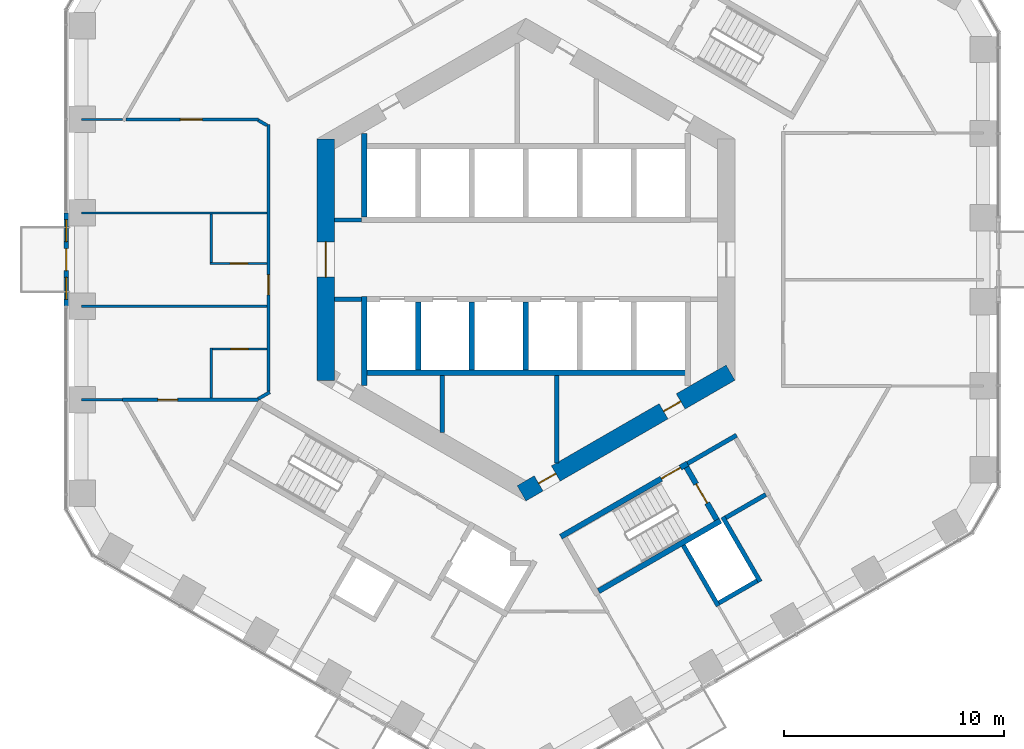
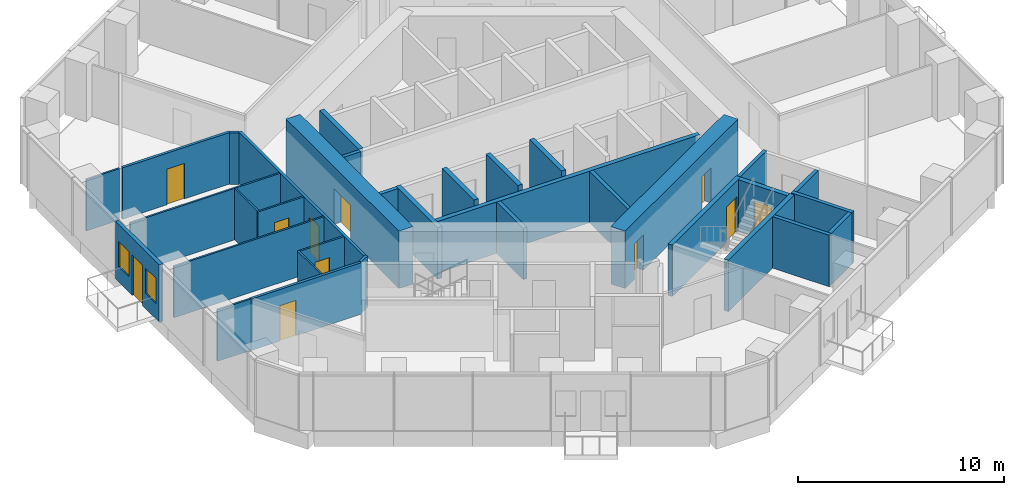
# One storey, part 14 of 20: 34 walls, 11 doors, 2 windows, 13 openings.
"""IFC4 building model written with IfcOpenShell, lengths in metres."""

from ifc_helpers import new_model, si_unit, direction, frame, frame_2d, origin, place, context, subcontext, project, spatial, rectangle, extrude, material, layer, layer_set, type_object, element, fill, save


model = new_model("IFC4")

# Units and contexts
model_context = context("Model", 3, precision=1e-05, world=origin(), true_north=direction((0.0, 1.0)))
body_context = subcontext(model_context, "Body", "Model", "MODEL_VIEW")
ifc_project = project(units=[si_unit("LENGTHUNIT", "METRE"), si_unit("AREAUNIT", "SQUARE_METRE"), si_unit("VOLUMEUNIT", "CUBIC_METRE"), si_unit("PLANEANGLEUNIT", "RADIAN"), si_unit("MASSUNIT", "GRAM", prefix="KILO")], contexts=[model_context])

# Site, building, storey
site_placement = place(None, origin())
site = spatial("IfcSite", under=ifc_project, at=site_placement, CompositionType="ELEMENT")
building_placement = place(site_placement, origin())
building = spatial("IfcBuilding", under=site, at=building_placement, Name="Ayvan Gate Tower", CompositionType="ELEMENT")
storey_placement = place(building_placement, frame((0.0, 0.0, 59.5)))
storey = spatial("IfcBuildingStorey", under=building, at=storey_placement, Name="L15", CompositionType="ELEMENT", Elevation=59.5)

# Wall, openings, door, windows
ifc_material_1 = material(Name="Insulated metal panel wall")
ifc_layer_1 = layer(ifc_material_1, 0.199951171875)
ifc_layer_set_1 = layer_set([ifc_layer_1], Name="Insulated metal panel wall")
wall_type_1 = type_object("IfcWallType", Name="Balcony door wall 200", PredefinedType="SOLIDWALL", material=ifc_layer_set_1)
wall_1_placement = place(storey_placement, frame((-20.89111328125, 2.125732421875, 0.0), z_axis=(0.0, 0.0, 1.0), x_axis=(0.0, -1.0, 0.0)))
wall_1 = element("IfcWall", 1, at=wall_1_placement, inside=storey, type_object=wall_type_1, Name="EW:L15:3:2", PredefinedType="SOLIDWALL", context=body_context, shape_type="SweptSolid", body=[
    extrude(rectangle(XDim=4.2509765625, YDim=0.199951171875, at=frame_2d((2.12548828125, 0.0))), origin(), (0.0, 0.0, 1.0), 3.39990234375),
])
opening_1_placement = place(wall_1_placement, frame((1.62548828125, 0.0, 0.0)))
opening_1 = element("IfcOpeningElement", 2, at=opening_1_placement, cuts=wall_1, Name="Opening L15-D93", PredefinedType="OPENING", context=body_context, shape_type="SweptSolid", body=[
    extrude(rectangle(XDim=1.0, YDim=2.39990234375, at=frame_2d((0.5, 1.199951171875))), frame((0.0, 0.10986328125, 0.0), z_axis=(0.0, -1.0, 0.0), x_axis=(1.0, 0.0, 0.0)), (0.0, 0.0, 1.0), 0.219970703125),
])
opening_2_placement = place(wall_1_placement, frame((0.312744140625, 0.0, 0.89990234375)))
opening_2 = element("IfcOpeningElement", 3, at=opening_2_placement, cuts=wall_1, Name="Opening W-B1", PredefinedType="OPENING", context=body_context, shape_type="SweptSolid", body=[
    extrude(rectangle(XDim=1.0, YDim=1.5, at=frame_2d((0.5, 0.75))), frame((0.0, 0.10986328125, 0.0), z_axis=(0.0, -1.0, 0.0), x_axis=(1.0, 0.0, 0.0)), (0.0, 0.0, 1.0), 0.219970703125),
])
opening_3_placement = place(wall_1_placement, frame((2.938232421875, 0.0, 0.89990234375)))
opening_3 = element("IfcOpeningElement", 4, at=opening_3_placement, cuts=wall_1, Name="Opening W-B1", PredefinedType="OPENING", context=body_context, shape_type="SweptSolid", body=[
    extrude(rectangle(XDim=1.0, YDim=1.5, at=frame_2d((0.5, 0.75))), frame((0.0, 0.10986328125, 0.0), z_axis=(0.0, -1.0, 0.0), x_axis=(1.0, 0.0, 0.0)), (0.0, 0.0, 1.0), 0.219970703125),
])
ifc_material_2 = material(Name="Bronze anodised aluminium and clear glass", Category="aluminium")
door_type_1 = type_object("IfcDoorType", Name="Balcony door D-B", OperationType="SINGLE_SWING_RIGHT", PredefinedType="DOOR", material=ifc_material_2)
door_1_placement = place(opening_1_placement, origin())
door_1 = element("IfcDoor", 5, at=door_1_placement, inside=storey, type_object=door_type_1, Name="Balcony door BAL-L15-3", OperationType="SINGLE_SWING_RIGHT", OverallHeight=2.39990234375, OverallWidth=1.0, PredefinedType="DOOR", context=body_context, shape_type="SweptSolid", body=[
    extrude(rectangle(XDim=1.0, YDim=2.39990234375, at=frame_2d((0.5, 1.199951171875))), frame((0.0, 0.02490234375, 0.0), z_axis=(0.0, -1.0, 0.0), x_axis=(1.0, 0.0, 0.0)), (0.0, 0.0, 1.0), 0.050048828125),
])
fill(opening_1, door_1)
window_type = type_object("IfcWindowType", Name="Balcony side light W-B Z1", PartitioningType="SINGLE_PANEL", PredefinedType="WINDOW", material=ifc_material_2)
window_1_placement = place(opening_2_placement, origin())
window_1 = element("IfcWindow", 6, at=window_1_placement, inside=storey, type_object=window_type, Name="Balcony side light BAL-L15-3.1", OverallHeight=1.5, OverallWidth=1.0, PartitioningType="SINGLE_PANEL", PredefinedType="WINDOW", context=body_context, shape_type="SweptSolid", body=[
    extrude(rectangle(XDim=1.0, YDim=1.5, at=frame_2d((0.5, 0.75))), frame((0.0, 0.030029296875, 0.0), z_axis=(0.0, -1.0, 0.0), x_axis=(1.0, 0.0, 0.0)), (0.0, 0.0, 1.0), 0.06005859375),
])
fill(opening_2, window_1)
window_2_placement = place(opening_3_placement, origin())
window_2 = element("IfcWindow", 7, at=window_2_placement, inside=storey, type_object=window_type, Name="Balcony side light BAL-L15-3.2", OverallHeight=1.5, OverallWidth=1.0, PartitioningType="SINGLE_PANEL", PredefinedType="WINDOW", context=body_context, shape_type="SweptSolid", body=[
    extrude(rectangle(XDim=1.0, YDim=1.5, at=frame_2d((0.5, 0.75))), frame((0.0, 0.030029296875, 0.0), z_axis=(0.0, -1.0, 0.0), x_axis=(1.0, 0.0, 0.0)), (0.0, 0.0, 1.0), 0.06005859375),
])
fill(opening_3, window_2)

# Wall, opening, door
ifc_material_3 = material(Name="Concrete C70/85", Category="concrete")
ifc_layer_2 = layer(ifc_material_3, 0.800048828125)
ifc_layer_set_2 = layer_set([ifc_layer_2], Name="Concrete C70/85")
wall_type_2 = type_object("IfcWallType", Name="Core wall 800 C70/85", PredefinedType="SHEAR", material=ifc_layer_set_2)
wall_2_placement = place(storey_placement, frame((-9.10009765625, 5.48486328125, 0.0), z_axis=(0.0, 0.0, 1.0), x_axis=(0.0, -1.0, 0.0)))
wall_2 = element("IfcWall", 8, at=wall_2_placement, inside=storey, type_object=wall_type_2, Name="CORE-L15-3", PredefinedType="SHEAR", context=body_context, shape_type="SweptSolid", body=[
    extrude(rectangle(XDim=10.9697265625, YDim=0.800048828125, at=frame_2d((5.48486328125, 0.0))), origin(), (0.0, 0.0, 1.0), 3.39990234375),
])
opening_4_placement = place(wall_2_placement, frame((4.684814453125, 0.0, 0.0)))
opening_4 = element("IfcOpeningElement", 9, at=opening_4_placement, cuts=wall_2, Name="Opening L15-D103", PredefinedType="OPENING", context=body_context, shape_type="SweptSolid", body=[
    extrude(rectangle(XDim=1.60009765625, YDim=2.10009765625, at=frame_2d((0.800048828125, 1.050048828125))), frame((0.0, 0.409912109375, 0.0), z_axis=(0.0, -1.0, 0.0), x_axis=(1.0, 0.0, 0.0)), (0.0, 0.0, 1.0), 0.820068359375),
])
ifc_material_4 = material(Name="Timber door leaf", Category="wood")
door_type_2 = type_object("IfcDoorType", Name="DT-1600", OperationType="NOTDEFINED", PredefinedType="DOOR", material=ifc_material_4)
door_2_placement = place(opening_4_placement, origin())
door_2 = element("IfcDoor", 10, at=door_2_placement, inside=storey, type_object=door_type_2, Name="CD-L15-103", OperationType="SINGLE_SWING_RIGHT", OverallHeight=2.10009765625, OverallWidth=1.60009765625, PredefinedType="DOOR", context=body_context, shape_type="SweptSolid", body=[
    extrude(rectangle(XDim=1.60009765625, YDim=2.10009765625, at=frame_2d((0.800048828125, 1.050048828125))), frame((0.0, 0.02490234375, 0.0), z_axis=(0.0, -1.0, 0.0), x_axis=(1.0, 0.0, 0.0)), (0.0, 0.0, 1.0), 0.050048828125),
])
fill(opening_4, door_2)

# Wall, openings, doors
wall_3_placement = place(storey_placement, frame((-0.199951171875, -10.623291015625, 0.0), z_axis=(0.0, 0.0, 1.0), x_axis=(0.866023993627, 0.500002442456, 0.0)))
wall_3 = element("IfcWall", 11, at=wall_3_placement, inside=storey, type_object=wall_type_2, Name="CORE-L15-5", PredefinedType="SHEAR", context=body_context, shape_type="SweptSolid", body=[
    extrude(rectangle(XDim=10.9697265625, YDim=0.800048828125, at=frame_2d((5.48486328125, 0.0))), origin(), (0.0, 0.0, 1.0), 3.39990234375),
])
opening_5_placement = place(wall_3_placement, frame((0.89990234375, 0.0, 0.0)))
opening_5 = element("IfcOpeningElement", 12, at=opening_5_placement, cuts=wall_3, Name="Opening L15-D100", PredefinedType="OPENING", context=body_context, shape_type="SweptSolid", body=[
    extrude(rectangle(XDim=0.89990234375, YDim=2.10009765625, at=frame_2d((0.449951171875, 1.050048828125))), frame((0.0, 0.409912109375, 0.0), z_axis=(0.0, -1.0, 0.0), x_axis=(1.0, 0.0, 0.0)), (0.0, 0.0, 1.0), 0.820068359375),
])
opening_6_placement = place(wall_3_placement, frame((7.45458984375, 0.0, 0.0)))
opening_6 = element("IfcOpeningElement", 13, at=opening_6_placement, cuts=wall_3, Name="Opening L15-D101", PredefinedType="OPENING", context=body_context, shape_type="SweptSolid", body=[
    extrude(rectangle(XDim=0.89990234375, YDim=2.10009765625, at=frame_2d((0.449951171875, 1.050048828125))), frame((0.0, 0.409912109375, 0.0), z_axis=(0.0, -1.0, 0.0), x_axis=(1.0, 0.0, 0.0)), (0.0, 0.0, 1.0), 0.820068359375),
])
door_type_3 = type_object("IfcDoorType", Name="DT-900", OperationType="NOTDEFINED", PredefinedType="DOOR", material=ifc_material_4)
door_3_placement = place(opening_5_placement, origin())
door_3 = element("IfcDoor", 14, at=door_3_placement, inside=storey, type_object=door_type_3, Name="CD-L15-100", OperationType="SINGLE_SWING_LEFT", OverallHeight=2.10009765625, OverallWidth=0.89990234375, PredefinedType="DOOR", context=body_context, shape_type="SweptSolid", body=[
    extrude(rectangle(XDim=0.89990234375, YDim=2.10009765625, at=frame_2d((0.449951171875, 1.050048828125))), frame((0.0, 0.02490234375, 0.0), z_axis=(0.0, -1.0, 0.0), x_axis=(1.0, 0.0, 0.0)), (0.0, 0.0, 1.0), 0.050048828125),
])
fill(opening_5, door_3)
door_4_placement = place(opening_6_placement, origin())
door_4 = element("IfcDoor", 15, at=door_4_placement, inside=storey, type_object=door_type_3, Name="CD-L15-101", OperationType="SINGLE_SWING_RIGHT", OverallHeight=2.10009765625, OverallWidth=0.89990234375, PredefinedType="DOOR", context=body_context, shape_type="SweptSolid", body=[
    extrude(rectangle(XDim=0.89990234375, YDim=2.10009765625, at=frame_2d((0.449951171875, 1.050048828125))), frame((0.0, 0.02490234375, 0.0), z_axis=(0.0, -1.0, 0.0), x_axis=(1.0, 0.0, 0.0)), (0.0, 0.0, 1.0), 0.050048828125),
])
fill(opening_6, door_4)

# Wall, opening, door
ifc_material_5 = material(Name="Plasterboard on steel stud", Category="steel")
ifc_layer_3 = layer(ifc_material_5, 0.14990234375)
ifc_layer_set_3 = layer_set([ifc_layer_3], Name="Plasterboard on steel stud")
wall_type_3 = type_object("IfcWallType", Name="WT-CORR-150", PredefinedType="PARTITIONING", material=ifc_layer_set_3)
wall_4_placement = place(storey_placement, frame((-18.330810546875, -6.366455078125, 0.0), z_axis=(0.0, 0.0, 1.0), x_axis=(1.0, 0.0, 0.0)))
wall_4 = element("IfcWall", 16, at=wall_4_placement, inside=storey, type_object=wall_type_3, Name="IW-L15-001", PredefinedType="PARTITIONING", context=body_context, shape_type="SweptSolid", body=[
    extrude(rectangle(XDim=6.178955078125, YDim=0.14990234375, at=frame_2d((3.08935546875, 0.0))), origin(), (0.0, 0.0, 1.0), 3.050048828125),
])
opening_7_placement = place(wall_4_placement, frame((1.605224609375, 0.0, 0.0)))
opening_7 = element("IfcOpeningElement", 17, at=opening_7_placement, cuts=wall_4, Name="Opening L15-D27", PredefinedType="OPENING", context=body_context, shape_type="SweptSolid", body=[
    extrude(rectangle(XDim=0.89990234375, YDim=2.10009765625, at=frame_2d((0.449951171875, 1.050048828125))), frame((0.0, 0.0849609375, 0.0), z_axis=(0.0, -1.0, 0.0), x_axis=(1.0, 0.0, 0.0)), (0.0, 0.0, 1.0), 0.169921875),
])
door_5_placement = place(opening_7_placement, origin())
door_5 = element("IfcDoor", 18, at=door_5_placement, inside=storey, type_object=door_type_3, Name="ID-L15-027", OperationType="SINGLE_SWING_RIGHT", OverallHeight=2.10009765625, OverallWidth=0.89990234375, PredefinedType="DOOR", context=body_context, shape_type="SweptSolid", body=[
    extrude(rectangle(XDim=0.89990234375, YDim=2.10009765625, at=frame_2d((0.449951171875, 1.050048828125))), frame((0.0, 0.02490234375, 0.0), z_axis=(0.0, -1.0, 0.0), x_axis=(1.0, 0.0, 0.0)), (0.0, 0.0, 1.0), 0.050048828125),
])
fill(opening_7, door_5)

wall_5_placement = place(storey_placement, frame((-12.15185546875, 6.366455078125, 0.0), z_axis=(0.0, 0.0, 1.0), x_axis=(-1.0, 0.0, 0.0)))
wall_5 = element("IfcWall", 19, at=wall_5_placement, inside=storey, type_object=wall_type_3, Name="IW-L15-013", PredefinedType="PARTITIONING", context=body_context, shape_type="SweptSolid", body=[
    extrude(rectangle(XDim=6.029052734375, YDim=0.14990234375, at=frame_2d((3.0146484375, 0.0))), origin(), (0.0, 0.0, 1.0), 3.050048828125),
])
opening_8_placement = place(wall_5_placement, frame((2.552001953125, 0.0, 0.0)))
opening_8 = element("IfcOpeningElement", 20, at=opening_8_placement, cuts=wall_5, Name="Opening L15-D24", PredefinedType="OPENING", context=body_context, shape_type="SweptSolid", body=[
    extrude(rectangle(XDim=1.0, YDim=2.10009765625, at=frame_2d((0.5, 1.050048828125))), frame((0.0, 0.0849609375, 0.0), z_axis=(0.0, -1.0, 0.0), x_axis=(1.0, 0.0, 0.0)), (0.0, 0.0, 1.0), 0.169921875),
])
door_type_4 = type_object("IfcDoorType", Name="DT-1000", OperationType="NOTDEFINED", PredefinedType="DOOR", material=ifc_material_4)
door_6_placement = place(opening_8_placement, origin())
door_6 = element("IfcDoor", 21, at=door_6_placement, inside=storey, type_object=door_type_4, Name="ID-L15-024", OperationType="SINGLE_SWING_LEFT", OverallHeight=2.10009765625, OverallWidth=1.0, PredefinedType="DOOR", context=body_context, shape_type="SweptSolid", body=[
    extrude(rectangle(XDim=1.0, YDim=2.10009765625, at=frame_2d((0.5, 1.050048828125))), frame((0.0, 0.02490234375, 0.0), z_axis=(0.0, -1.0, 0.0), x_axis=(1.0, 0.0, 0.0)), (0.0, 0.0, 1.0), 0.050048828125),
])
fill(opening_8, door_6)

# Wall
wall_6_placement = place(storey_placement, frame((-12.161865234375, -6.328857421875, 0.0), z_axis=(0.0, 0.0, 1.0), x_axis=(0.866011828767, 0.500023511883, 0.0)))
element("IfcWall", 22, at=wall_6_placement, inside=storey, type_object=wall_type_3, Name="IW-L15-014", PredefinedType="PARTITIONING", context=body_context, shape_type="SweptSolid", body=[
    extrude(rectangle(XDim=0.6083984375, YDim=0.14990234375, at=frame_2d((0.30419921875, 0.0))), origin(), (0.0, 0.0, 1.0), 3.050048828125),
])

# Wall, opening, door
wall_7_placement = place(storey_placement, frame((-11.699951171875, 6.13720703125, 0.0), z_axis=(0.0, 0.0, 1.0), x_axis=(0.0, -1.0, 0.0)))
wall_7 = element("IfcWall", 23, at=wall_7_placement, inside=storey, type_object=wall_type_3, Name="IW-L15-018", PredefinedType="PARTITIONING", context=body_context, shape_type="SweptSolid", body=[
    extrude(rectangle(XDim=12.12451171875, YDim=0.14990234375, at=frame_2d((6.062255859375, 0.0))), origin(), (0.0, 0.0, 1.0), 3.050048828125),
])
opening_9_placement = place(wall_7_placement, frame((6.837158203125, 0.0, 0.0)))
opening_9 = element("IfcOpeningElement", 24, at=opening_9_placement, cuts=wall_7, Name="Opening L15-D25", PredefinedType="OPENING", context=body_context, shape_type="SweptSolid", body=[
    extrude(rectangle(XDim=0.89990234375, YDim=2.10009765625, at=frame_2d((0.449951171875, 1.050048828125))), frame((0.0, 0.0849609375, 0.0), z_axis=(0.0, -1.0, 0.0), x_axis=(1.0, 0.0, 0.0)), (0.0, 0.0, 1.0), 0.169921875),
])
door_7_placement = place(opening_9_placement, origin())
door_7 = element("IfcDoor", 25, at=door_7_placement, inside=storey, type_object=door_type_3, Name="ID-L15-025", OperationType="SINGLE_SWING_RIGHT", OverallHeight=2.10009765625, OverallWidth=0.89990234375, PredefinedType="DOOR", context=body_context, shape_type="SweptSolid", body=[
    extrude(rectangle(XDim=0.89990234375, YDim=2.10009765625, at=frame_2d((0.449951171875, 1.050048828125))), frame((0.0, 0.02490234375, 0.0), z_axis=(0.0, -1.0, 0.0), x_axis=(1.0, 0.0, 0.0)), (0.0, 0.0, 1.0), 0.050048828125),
])
fill(opening_9, door_7)

# Walls
wall_8_placement = place(storey_placement, frame((-11.764892578125, 6.099609375, 0.0), z_axis=(0.0, 0.0, 1.0), x_axis=(-0.865972712538, 0.500091252813, 0.0)))
element("IfcWall", 26, at=wall_8_placement, inside=storey, type_object=wall_type_3, Name="IW-L15-019", PredefinedType="PARTITIONING", context=body_context, shape_type="SweptSolid", body=[
    extrude(rectangle(XDim=0.45849609375, YDim=0.14990234375, at=frame_2d((0.229248046875, 0.0))), origin(), (0.0, 0.0, 1.0), 3.050048828125),
])
ifc_layer_4 = layer(ifc_material_5, 0.10009765625)
ifc_layer_set_4 = layer_set([ifc_layer_4], Name="Plasterboard on steel stud")
wall_type_4 = type_object("IfcWallType", Name="WT-PART-100", PredefinedType="PARTITIONING", material=ifc_layer_set_4)
for number, where, z_axis, x_axis, name in (
    (27, (-18.330810546875, -6.366455078125, 0.0), (0.0, 0.0, 1.0), (-1.0, 0.0, 0.0), "IW-L15-000"),
    (28, (-18.330810546875, 6.366455078125, 0.0), (0.0, 0.0, 1.0), (-1.0, 0.0, 0.0), "IW-L15-002"),
):
    element("IfcWall", number, at=place(storey_placement, frame(where, z_axis=z_axis, x_axis=x_axis)), inside=storey, type_object=wall_type_4, Name=name, PredefinedType="PARTITIONING", context=body_context, shape_type="SweptSolid", body=[
        extrude(rectangle(XDim=1.8603515625, YDim=0.10009765625, at=frame_2d((0.93017578125, 0.0))), origin(), (0.0, 0.0, 1.0), 3.050048828125),
    ])
wall_9_placement = place(storey_placement, frame((-14.300048828125, -4.016357421875, 0.0), z_axis=(0.0, 0.0, 1.0), x_axis=(0.0, -1.0, 0.0)))
element("IfcWall", 29, at=wall_9_placement, inside=storey, type_object=wall_type_4, Name="IW-L15-006", PredefinedType="PARTITIONING", context=body_context, shape_type="SweptSolid", body=[
    extrude(rectangle(XDim=2.275146484375, YDim=0.10009765625, at=frame_2d((1.1376953125, 0.0))), origin(), (0.0, 0.0, 1.0), 3.050048828125),
])

# Wall, opening, door
wall_10_placement = place(storey_placement, frame((-14.35009765625, -0.177978515625, 0.0), z_axis=(0.0, 0.0, 1.0), x_axis=(1.0, 0.0, 0.0)))
wall_10 = element("IfcWall", 30, at=wall_10_placement, inside=storey, type_object=wall_type_4, Name="IW-L15-007", PredefinedType="PARTITIONING", context=body_context, shape_type="SweptSolid", body=[
    extrude(rectangle(XDim=2.5751953125, YDim=0.10009765625, at=frame_2d((1.28759765625, 0.0))), origin(), (0.0, 0.0, 1.0), 3.050048828125),
])
opening_10_placement = place(wall_10_placement, frame((0.91259765625, 0.0, 0.0)))
opening_10 = element("IfcOpeningElement", 31, at=opening_10_placement, cuts=wall_10, Name="Opening L15-D26", PredefinedType="OPENING", context=body_context, shape_type="SweptSolid", body=[
    extrude(rectangle(XDim=0.800048828125, YDim=2.10009765625, at=frame_2d((0.39990234375, 1.050048828125))), frame((0.0, 0.06005859375, 0.0), z_axis=(0.0, -1.0, 0.0), x_axis=(1.0, 0.0, 0.0)), (0.0, 0.0, 1.0), 0.1201171875),
])
door_type_5 = type_object("IfcDoorType", Name="DT-800", OperationType="NOTDEFINED", PredefinedType="DOOR", material=ifc_material_4)
door_8_placement = place(opening_10_placement, origin())
door_8 = element("IfcDoor", 32, at=door_8_placement, inside=storey, type_object=door_type_5, Name="ID-L15-026", OperationType="SINGLE_SWING_LEFT", OverallHeight=2.10009765625, OverallWidth=0.800048828125, PredefinedType="DOOR", context=body_context, shape_type="SweptSolid", body=[
    extrude(rectangle(XDim=0.800048828125, YDim=2.10009765625, at=frame_2d((0.39990234375, 1.050048828125))), frame((0.0, 0.02490234375, 0.0), z_axis=(0.0, -1.0, 0.0), x_axis=(1.0, 0.0, 0.0)), (0.0, 0.0, 1.0), 0.050048828125),
])
fill(opening_10, door_8)

# Walls
wall_11_placement = place(storey_placement, frame((-14.300048828125, 2.072021484375, 0.0), z_axis=(0.0, 0.0, 1.0), x_axis=(0.0, -1.0, 0.0)))
element("IfcWall", 33, at=wall_11_placement, inside=storey, type_object=wall_type_4, Name="IW-L15-008", PredefinedType="PARTITIONING", context=body_context, shape_type="SweptSolid", body=[
    extrude(rectangle(XDim=2.199951171875, YDim=0.10009765625, at=frame_2d((1.10009765625, 0.0))), origin(), (0.0, 0.0, 1.0), 3.050048828125),
])
wall_12_placement = place(storey_placement, frame((-20.191162109375, 2.1220703125, 0.0), z_axis=(0.0, 0.0, 1.0), x_axis=(1.0, 0.0, 0.0)))
element("IfcWall", 34, at=wall_12_placement, inside=storey, type_object=wall_type_4, Name="IW-L15-009", PredefinedType="PARTITIONING", context=body_context, shape_type="SweptSolid", body=[
    extrude(rectangle(XDim=8.416259765625, YDim=0.10009765625, at=frame_2d((4.2080078125, 0.0))), origin(), (0.0, 0.0, 1.0), 3.050048828125),
])

# Wall, opening, door
wall_13_placement = place(storey_placement, frame((-11.77490234375, -4.06640625, 0.0), z_axis=(0.0, 0.0, 1.0), x_axis=(-1.0, 0.0, 0.0)))
wall_13 = element("IfcWall", 35, at=wall_13_placement, inside=storey, type_object=wall_type_4, Name="IW-L15-016", PredefinedType="PARTITIONING", context=body_context, shape_type="SweptSolid", body=[
    extrude(rectangle(XDim=2.47509765625, YDim=0.10009765625, at=frame_2d((1.237548828125, 0.0))), origin(), (0.0, 0.0, 1.0), 3.050048828125),
])
opening_11_placement = place(wall_13_placement, frame((0.83740234375, 0.0, 0.0)))
opening_11 = element("IfcOpeningElement", 36, at=opening_11_placement, cuts=wall_13, Name="Opening L15-D28", PredefinedType="OPENING", context=body_context, shape_type="SweptSolid", body=[
    extrude(rectangle(XDim=0.800048828125, YDim=2.10009765625, at=frame_2d((0.39990234375, 1.050048828125))), frame((0.0, 0.06005859375, 0.0), z_axis=(0.0, -1.0, 0.0), x_axis=(1.0, 0.0, 0.0)), (0.0, 0.0, 1.0), 0.1201171875),
])
door_9_placement = place(opening_11_placement, origin())
door_9 = element("IfcDoor", 37, at=door_9_placement, inside=storey, type_object=door_type_5, Name="ID-L15-028", OperationType="SINGLE_SWING_LEFT", OverallHeight=2.10009765625, OverallWidth=0.800048828125, PredefinedType="DOOR", context=body_context, shape_type="SweptSolid", body=[
    extrude(rectangle(XDim=0.800048828125, YDim=2.10009765625, at=frame_2d((0.39990234375, 1.050048828125))), frame((0.0, 0.02490234375, 0.0), z_axis=(0.0, -1.0, 0.0), x_axis=(1.0, 0.0, 0.0)), (0.0, 0.0, 1.0), 0.050048828125),
])
fill(opening_11, door_9)

# Walls
wall_14_placement = place(storey_placement, frame((-11.77490234375, -2.1220703125, 0.0), z_axis=(0.0, 0.0, 1.0), x_axis=(-1.0, 0.0, 0.0)))
element("IfcWall", 38, at=wall_14_placement, inside=storey, type_object=wall_type_4, Name="IW-L15-017", PredefinedType="PARTITIONING", context=body_context, shape_type="SweptSolid", body=[
    extrude(rectangle(XDim=8.416259765625, YDim=0.10009765625, at=frame_2d((4.2080078125, 0.0))), origin(), (0.0, 0.0, 1.0), 3.050048828125),
])
ifc_layer_5 = layer(ifc_material_5, 0.199951171875)
ifc_layer_set_5 = layer_set([ifc_layer_5], Name="Plasterboard on steel stud")
wall_type_5 = type_object("IfcWallType", Name="WT-PLUMB-200", PredefinedType="PLUMBINGWALL", material=ifc_layer_set_5)
wall_15_placement = place(storey_placement, frame((8.740234375, -15.738525390625, 0.0), z_axis=(0.0, 0.0, 1.0), x_axis=(-0.500017526161, 0.866015284814, 0.0)))
element("IfcWall", 39, at=wall_15_placement, inside=storey, type_object=wall_type_5, Name="IW-L15-097", PredefinedType="PLUMBINGWALL", context=body_context, shape_type="SweptSolid", body=[
    extrude(rectangle(XDim=3.17529296875, YDim=0.199951171875, at=frame_2d((1.587646484375, 0.0))), origin(), (0.0, 0.0, 1.0), 3.050048828125),
])
wall_16_placement = place(storey_placement, frame((8.9453125, -11.694091796875, 0.0), z_axis=(0.0, 0.0, 1.0), x_axis=(0.500062241894, -0.865989465428, 0.0)))
element("IfcWall", 40, at=wall_16_placement, inside=storey, type_object=wall_type_5, Name="IW-L15-099", PredefinedType="PLUMBINGWALL", context=body_context, shape_type="SweptSolid", body=[
    extrude(rectangle(XDim=3.39990234375, YDim=0.199951171875, at=frame_2d((1.699951171875, 0.0))), origin(), (0.0, 0.0, 1.0), 3.050048828125),
])
wall_17_placement = place(storey_placement, frame((10.5087890625, -14.601806640625, 0.0), z_axis=(0.0, 0.0, 1.0), x_axis=(-0.866010750942, -0.50002537861, 0.0)))
element("IfcWall", 41, at=wall_17_placement, inside=storey, type_object=wall_type_5, Name="IW-L15-102", PredefinedType="PLUMBINGWALL", context=body_context, shape_type="SweptSolid", body=[
    extrude(rectangle(XDim=2.0, YDim=0.199951171875, at=frame_2d((1.0, 0.0))), origin(), (0.0, 0.0, 1.0), 3.050048828125),
])
ifc_layer_6 = layer(ifc_material_5, 0.199951171875)
ifc_layer_set_6 = layer_set([ifc_layer_6], Name="Plasterboard on steel stud")
wall_type_6 = type_object("IfcWallType", Name="WT-RATED-200", PredefinedType="PARTITIONING", material=ifc_layer_set_6)
for number, where, z_axis, x_axis, name in (
    (42, (-8.699951171875, 1.800048828125, 0.0), (0.0, 0.0, 1.0), (1.0, 0.0, 0.0), "IW-L15-022"),
    (43, (-7.474853515625, -1.800048828125, 0.0), (0.0, 0.0, 1.0), (-1.0, 0.0, 0.0), "IW-L15-031"),
):
    element("IfcWall", number, at=place(storey_placement, frame(where, z_axis=z_axis, x_axis=x_axis)), inside=storey, type_object=wall_type_6, Name=name, PredefinedType="PARTITIONING", context=body_context, shape_type="SweptSolid", body=[
        extrude(rectangle(XDim=1.22509765625, YDim=0.199951171875, at=frame_2d((0.612548828125, 0.0))), origin(), (0.0, 0.0, 1.0), 3.050048828125),
    ])
wall_18_placement = place(storey_placement, frame((-3.800048828125, -5.27490234375, 0.0), z_axis=(0.0, 0.0, 1.0), x_axis=(0.0, -1.0, 0.0)))
element("IfcWall", 44, at=wall_18_placement, inside=storey, type_object=wall_type_6, Name="IW-L15-044", PredefinedType="PARTITIONING", context=body_context, shape_type="SweptSolid", body=[
    extrude(rectangle(XDim=2.5771484375, YDim=0.199951171875, at=frame_2d((1.28857421875, 0.0))), origin(), (0.0, 0.0, 1.0), 3.050048828125),
])
wall_19_placement = place(storey_placement, frame((1.39990234375, -5.27490234375, 0.0), z_axis=(0.0, 0.0, 1.0), x_axis=(0.0, -1.0, 0.0)))
element("IfcWall", 45, at=wall_19_placement, inside=storey, type_object=wall_type_6, Name="IW-L15-068", PredefinedType="PARTITIONING", context=body_context, shape_type="SweptSolid", body=[
    extrude(rectangle(XDim=3.962646484375, YDim=0.199951171875, at=frame_2d((1.9814453125, 0.0))), origin(), (0.0, 0.0, 1.0), 3.050048828125),
])
wall_20_placement = place(storey_placement, frame((7.343994140625, -9.27001953125, 0.0), z_axis=(0.0, 0.0, 1.0), x_axis=(0.866005588531, 0.500034319456, 0.0)))
element("IfcWall", 46, at=wall_20_placement, inside=storey, type_object=wall_type_6, Name="IW-L15-089", PredefinedType="PARTITIONING", context=body_context, shape_type="SweptSolid", body=[
    extrude(rectangle(XDim=2.574951171875, YDim=0.199951171875, at=frame_2d((1.28759765625, 0.0))), origin(), (0.0, 0.0, 1.0), 3.050048828125),
])
wall_21_placement = place(storey_placement, frame((10.900634765625, -10.6806640625, 0.0), z_axis=(0.0, 0.0, 1.0), x_axis=(-0.866009402589, -0.500027713859, 0.0)))
element("IfcWall", 47, at=wall_21_placement, inside=storey, type_object=wall_type_6, Name="IW-L15-103", PredefinedType="PARTITIONING", context=body_context, shape_type="SweptSolid", body=[
    extrude(rectangle(XDim=2.10009765625, YDim=0.199951171875, at=frame_2d((1.050048828125, 0.0))), origin(), (0.0, 0.0, 1.0), 3.050048828125),
])
ifc_material_6 = material(Name="Concrete C50/60", Category="concrete")
ifc_layer_7 = layer(ifc_material_6, 0.25)
ifc_layer_set_7 = layer_set([ifc_layer_7], Name="Concrete C50/60")
wall_type_7 = type_object("IfcWallType", Name="WT-RC-250", PredefinedType="SHEAR", material=ifc_layer_set_7)
wall_22_placement = place(storey_placement, frame((-7.35009765625, -5.730224609375, 0.0), z_axis=(0.0, 0.0, 1.0), x_axis=(0.0, 1.0, 0.0)))
element("IfcWall", 48, at=wall_22_placement, inside=storey, type_object=wall_type_7, Name="IW-L15-028", PredefinedType="SHEAR", context=body_context, shape_type="SweptSolid", body=[
    extrude(rectangle(XDim=4.05517578125, YDim=0.25, at=frame_2d((2.027587890625, 0.0))), origin(), (0.0, 0.0, 1.0), 3.050048828125),
])
wall_23_placement = place(storey_placement, frame((-7.35009765625, 1.925048828125, 0.0), z_axis=(0.0, 0.0, 1.0), x_axis=(0.0, 1.0, 0.0)))
element("IfcWall", 49, at=wall_23_placement, inside=storey, type_object=wall_type_7, Name="IW-L15-029", PredefinedType="SHEAR", context=body_context, shape_type="SweptSolid", body=[
    extrude(rectangle(XDim=3.80517578125, YDim=0.25, at=frame_2d((1.902587890625, 0.0))), origin(), (0.0, 0.0, 1.0), 3.050048828125),
])
wall_24_placement = place(storey_placement, frame((-7.22509765625, -5.14990234375, 0.0), z_axis=(0.0, 0.0, 1.0), x_axis=(1.0, 0.0, 0.0)))
element("IfcWall", 50, at=wall_24_placement, inside=storey, type_object=wall_type_7, Name="IW-L15-037", PredefinedType="SHEAR", context=body_context, shape_type="SweptSolid", body=[
    extrude(rectangle(XDim=14.7001953125, YDim=0.25, at=frame_2d((7.35009765625, 0.0))), origin(), (0.0, 0.0, 1.0), 3.050048828125),
])
for number, where, z_axis, x_axis, name in (
    (51, (-4.89990234375, -1.925048828125, 0.0), (0.0, 0.0, 1.0), (0.0, -1.0, 0.0), "IW-L15-038"),
    (52, (-2.449951171875, -1.925048828125, 0.0), (0.0, 0.0, 1.0), (0.0, -1.0, 0.0), "IW-L15-052"),
    (53, (0.0, -1.925048828125, 0.0), (0.0, 0.0, 1.0), (0.0, -1.0, 0.0), "IW-L15-061"),
):
    element("IfcWall", number, at=place(storey_placement, frame(where, z_axis=z_axis, x_axis=x_axis)), inside=storey, type_object=wall_type_7, Name=name, PredefinedType="SHEAR", context=body_context, shape_type="SweptSolid", body=[
        extrude(rectangle(XDim=3.099853515625, YDim=0.25, at=frame_2d((1.5498046875, 0.0))), origin(), (0.0, 0.0, 1.0), 3.39990234375),
    ])

# Wall, opening, door
wall_25_placement = place(storey_placement, frame((1.584716796875, -12.594970703125, 0.0), z_axis=(0.0, 0.0, 1.0), x_axis=(0.866036417653, 0.499980922934, 0.0)))
wall_25 = element("IfcWall", 54, at=wall_25_placement, inside=storey, type_object=wall_type_7, Name="IW-L15-069", PredefinedType="SHEAR", context=body_context, shape_type="SweptSolid", body=[
    extrude(rectangle(XDim=6.650146484375, YDim=0.25, at=frame_2d((3.3251953125, 0.0))), origin(), (0.0, 0.0, 1.0), 3.050048828125),
])
opening_12_placement = place(wall_25_placement, frame((5.27490234375, 0.0, 0.0)))
opening_12 = element("IfcOpeningElement", 55, at=opening_12_placement, cuts=wall_25, Name="Opening L15-D14", PredefinedType="OPENING", context=body_context, shape_type="SweptSolid", body=[
    extrude(rectangle(XDim=1.0, YDim=2.10009765625, at=frame_2d((0.5, 1.050048828125))), frame((0.0, 0.135009765625, 0.0), z_axis=(0.0, -1.0, 0.0), x_axis=(1.0, 0.0, 0.0)), (0.0, 0.0, 1.0), 0.27001953125),
])
door_10_placement = place(opening_12_placement, origin())
door_10 = element("IfcDoor", 56, at=door_10_placement, inside=storey, type_object=door_type_4, Name="ID-L15-014", OperationType="SINGLE_SWING_LEFT", OverallHeight=2.10009765625, OverallWidth=1.0, PredefinedType="DOOR", context=body_context, shape_type="SweptSolid", body=[
    extrude(rectangle(XDim=1.0, YDim=2.10009765625, at=frame_2d((0.5, 1.050048828125))), frame((0.0, 0.02490234375, 0.0), z_axis=(0.0, -1.0, 0.0), x_axis=(1.0, 0.0, 0.0)), (0.0, 0.0, 1.0), 0.050048828125),
])
fill(opening_12, door_10)

# Wall
wall_26_placement = place(storey_placement, frame((3.30126953125, -15.068115234375, 0.0), z_axis=(0.0, 0.0, 1.0), x_axis=(0.866035036182, 0.499983315828, 0.0)))
element("IfcWall", 57, at=wall_26_placement, inside=storey, type_object=wall_type_7, Name="IW-L15-087", PredefinedType="SHEAR", context=body_context, shape_type="SweptSolid", body=[
    extrude(rectangle(XDim=6.400146484375, YDim=0.25, at=frame_2d((3.2001953125, 0.0))), origin(), (0.0, 0.0, 1.0), 3.050048828125),
])

# Wall, opening, door
wall_27_placement = place(storey_placement, frame((7.298095703125, -9.44091796875, 0.0), z_axis=(0.0, 0.0, 1.0), x_axis=(0.500034990121, -0.866005201286, 0.0)))
wall_27 = element("IfcWall", 58, at=wall_27_placement, inside=storey, type_object=wall_type_7, Name="IW-L15-088", PredefinedType="SHEAR", context=body_context, shape_type="SweptSolid", body=[
    extrude(rectangle(XDim=2.749755859375, YDim=0.25, at=frame_2d((1.375, 0.0))), origin(), (0.0, 0.0, 1.0), 3.050048828125),
])
opening_13_placement = place(wall_27_placement, frame((0.875, 0.0, 0.0)))
opening_13 = element("IfcOpeningElement", 59, at=opening_13_placement, cuts=wall_27, Name="Opening L15-D16", PredefinedType="OPENING", context=body_context, shape_type="SweptSolid", body=[
    extrude(rectangle(XDim=1.0, YDim=2.10009765625, at=frame_2d((0.5, 1.050048828125))), frame((0.0, 0.135009765625, 0.0), z_axis=(0.0, -1.0, 0.0), x_axis=(1.0, 0.0, 0.0)), (0.0, 0.0, 1.0), 0.27001953125),
])
door_11_placement = place(opening_13_placement, origin())
door_11 = element("IfcDoor", 60, at=door_11_placement, inside=storey, type_object=door_type_4, Name="ID-L15-016", OperationType="SINGLE_SWING_LEFT", OverallHeight=2.10009765625, OverallWidth=1.0, PredefinedType="DOOR", context=body_context, shape_type="SweptSolid", body=[
    extrude(rectangle(XDim=1.0, YDim=2.10009765625, at=frame_2d((0.5, 1.050048828125))), frame((0.0, 0.02490234375, 0.0), z_axis=(0.0, -1.0, 0.0), x_axis=(1.0, 0.0, 0.0)), (0.0, 0.0, 1.0), 0.050048828125),
])
fill(opening_13, door_11)

save(model, "model.ifc")
